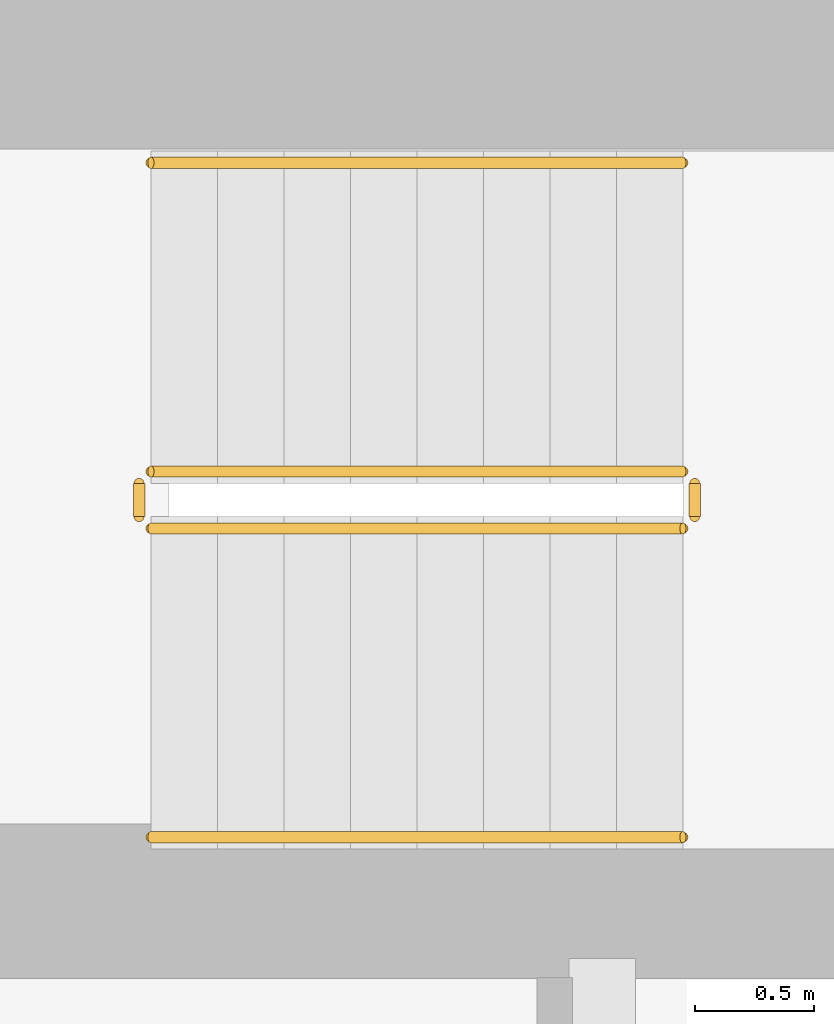
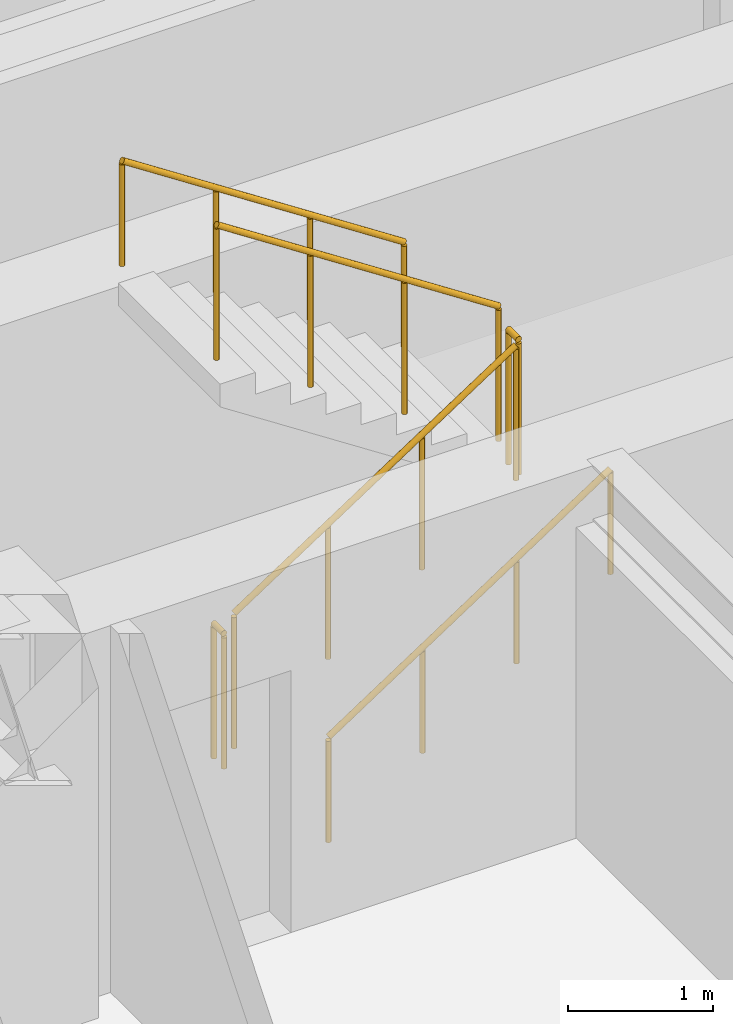
# One storey, part 23 of 27: 6 railings.
"""IFC4 building model written with IfcOpenShell, lengths in metres."""

from ifc_helpers import new_model, si_unit, direction, frame, origin, origin_2d, place, context, subcontext, project, spatial, circle, extrude, material, type_object, element, save


model = new_model("IFC4")

# Units and contexts
model_context = context("Model", 3, precision=1e-05, world=origin(), true_north=direction((0.0, 1.0)))
body_context = subcontext(model_context, "Body", "Model", "MODEL_VIEW")
ifc_project = project(units=[si_unit("LENGTHUNIT", "METRE"), si_unit("AREAUNIT", "SQUARE_METRE"), si_unit("VOLUMEUNIT", "CUBIC_METRE"), si_unit("PLANEANGLEUNIT", "RADIAN"), si_unit("MASSUNIT", "GRAM", prefix="KILO")], contexts=[model_context])

# Site, building, storey
site_placement = place(None, origin())
site = spatial("IfcSite", under=ifc_project, at=site_placement, CompositionType="ELEMENT")
building_placement = place(site_placement, origin())
building = spatial("IfcBuilding", under=site, at=building_placement, Name="Mirazonda Arch Towers", CompositionType="ELEMENT")
storey_placement = place(building_placement, frame((0.0, 0.0, 124.699951171875)))
storey = spatial("IfcBuildingStorey", under=building, at=storey_placement, Name="L35", CompositionType="ELEMENT", Elevation=124.699951171875)

# Railings
ifc_material = material(Name="Architectural Brushed Steel S355", Category="steel")
railing_type_1 = type_object("IfcRailingType", Name="GUARD-STAIR-1120", PredefinedType="GUARDRAIL", material=ifc_material)
railing_1_placement = place(storey_placement, frame((13.85009765625, 39.169921875, 0.183349609375)))
element("IfcRailing", 1, at=railing_1_placement, inside=storey, type_object=railing_type_1, Name="L35 ST-T1N stair guard 1", PredefinedType="GUARDRAIL", context=body_context, shape_type="SweptSolid", body=[
    extrude(circle(Radius=0.02392578125, at=origin_2d()), frame((0.0, 0.0, 1.1259765625), z_axis=(0.836595146698, 0.0, 0.547821650285), x_axis=(0.0, 1.0, 0.0)), (0.0, 0.0, 1.0), 2.677490234375),
    extrude(circle(Radius=0.02099609375, at=origin_2d()), origin(), (0.0, 0.0, 1.0), 1.101806640625),
    extrude(circle(Radius=0.02099609375, at=origin_2d()), frame((0.74658203125, 0.0, 0.489013671875)), (0.0, 0.0, 1.0), 1.101806640625),
    extrude(circle(Radius=0.02099609375, at=origin_2d()), frame((1.493408203125, 0.0, 0.977783203125)), (0.0, 0.0, 1.0), 1.101806640625),
    extrude(circle(Radius=0.02099609375, at=origin_2d()), frame((2.239990234375, 0.0, 1.466796875)), (0.0, 0.0, 1.0), 1.101806640625),
])
railing_2_placement = place(storey_placement, frame((16.139892578125, 39.219970703125, 1.650146484375)))
element("IfcRailing", 2, at=railing_2_placement, inside=storey, type_object=railing_type_1, Name="L35 ST-T1N stair guard 2", PredefinedType="GUARDRAIL", context=body_context, shape_type="SweptSolid", body=[
    extrude(circle(Radius=0.02392578125, at=origin_2d()), frame((0.0, 0.0, 1.1259765625), z_axis=(0.0, 1.0, 0.0), x_axis=(-1.0, 0.0, 0.0)), (0.0, 0.0, 1.0), 0.14013671875),
    extrude(circle(Radius=0.02099609375, at=origin_2d()), origin(), (0.0, 0.0, 1.0), 1.101806640625),
    extrude(circle(Radius=0.02099609375, at=origin_2d()), frame((0.0, 0.14013671875, 0.0)), (0.0, 0.0, 1.0), 1.101806640625),
])
railing_3_placement = place(storey_placement, frame((16.090087890625, 39.409912109375, 1.83349609375)))
element("IfcRailing", 3, at=railing_3_placement, inside=storey, type_object=railing_type_1, Name="L35 ST-T1N stair guard 3", PredefinedType="GUARDRAIL", context=body_context, shape_type="SweptSolid", body=[
    extrude(circle(Radius=0.02392578125, at=origin_2d()), frame((0.0, 0.0, 1.1259765625), z_axis=(-0.836636935527, 0.0, 0.547757827979), x_axis=(0.0, -1.0, 0.0)), (0.0, 0.0, 1.0), 2.677490234375),
    extrude(circle(Radius=0.02099609375, at=origin_2d()), origin(), (0.0, 0.0, 1.0), 1.101806640625),
    extrude(circle(Radius=0.02099609375, at=origin_2d()), frame((-0.74658203125, 0.0, 0.48876953125)), (0.0, 0.0, 1.0), 1.101806640625),
    extrude(circle(Radius=0.02099609375, at=origin_2d()), frame((-1.493408203125, 0.0, 0.977783203125)), (0.0, 0.0, 1.0), 1.101806640625),
    extrude(circle(Radius=0.02099609375, at=origin_2d()), frame((-2.239990234375, 0.0, 1.466552734375)), (0.0, 0.0, 1.0), 1.101806640625),
])
railing_4_placement = place(storey_placement, frame((13.800048828125, 39.219970703125, 0.0)))
element("IfcRailing", 4, at=railing_4_placement, inside=storey, type_object=railing_type_1, Name="L35 ST-T1N stair guard 4", PredefinedType="GUARDRAIL", context=body_context, shape_type="SweptSolid", body=[
    extrude(circle(Radius=0.02392578125, at=origin_2d()), frame((0.0, 0.0, 1.1259765625), z_axis=(0.0, 1.0, 0.0), x_axis=(-1.0, 0.0, 0.0)), (0.0, 0.0, 1.0), 0.14013671875),
    extrude(circle(Radius=0.02099609375, at=origin_2d()), origin(), (0.0, 0.0, 1.0), 1.101806640625),
    extrude(circle(Radius=0.02099609375, at=origin_2d()), frame((0.0, 0.14013671875, 0.0)), (0.0, 0.0, 1.0), 1.101806640625),
])
railing_type_2 = type_object("IfcRailingType", Name="HANDRAIL-915", PredefinedType="HANDRAIL", material=ifc_material)
railing_5_placement = place(storey_placement, frame((13.85009765625, 37.8701171875, 0.183349609375)))
element("IfcRailing", 5, at=railing_5_placement, inside=storey, type_object=railing_type_2, Name="L35 ST-T1N stair handrail 1", PredefinedType="HANDRAIL", context=body_context, shape_type="SweptSolid", body=[
    extrude(circle(Radius=0.02392578125, at=origin_2d()), frame((0.0, 0.0, 0.8759765625), z_axis=(0.836595146698, 0.0, 0.547821650285), x_axis=(0.0, 1.0, 0.0)), (0.0, 0.0, 1.0), 2.677490234375),
    extrude(circle(Radius=0.02099609375, at=origin_2d()), origin(), (0.0, 0.0, 1.0), 0.851806640625),
    extrude(circle(Radius=0.02099609375, at=origin_2d()), frame((0.74658203125, 0.0, 0.489013671875)), (0.0, 0.0, 1.0), 0.851806640625),
    extrude(circle(Radius=0.02099609375, at=origin_2d()), frame((1.493408203125, 0.0, 0.977783203125)), (0.0, 0.0, 1.0), 0.851806640625),
    extrude(circle(Radius=0.02099609375, at=origin_2d()), frame((2.239990234375, 0.0, 1.466796875)), (0.0, 0.0, 1.0), 0.851806640625),
])
railing_6_placement = place(storey_placement, frame((16.090087890625, 40.7099609375, 1.83349609375)))
element("IfcRailing", 6, at=railing_6_placement, inside=storey, type_object=railing_type_2, Name="L35 ST-T1N stair handrail 2", PredefinedType="HANDRAIL", context=body_context, shape_type="SweptSolid", body=[
    extrude(circle(Radius=0.02392578125, at=origin_2d()), frame((0.0, 0.0, 0.8759765625), z_axis=(-0.836636935527, 0.0, 0.547757827979), x_axis=(0.0, -1.0, 0.0)), (0.0, 0.0, 1.0), 2.677490234375),
    extrude(circle(Radius=0.02099609375, at=origin_2d()), origin(), (0.0, 0.0, 1.0), 0.851806640625),
    extrude(circle(Radius=0.02099609375, at=origin_2d()), frame((-0.74658203125, 0.0, 0.48876953125)), (0.0, 0.0, 1.0), 0.851806640625),
    extrude(circle(Radius=0.02099609375, at=origin_2d()), frame((-1.493408203125, 0.0, 0.977783203125)), (0.0, 0.0, 1.0), 0.851806640625),
    extrude(circle(Radius=0.02099609375, at=origin_2d()), frame((-2.239990234375, 0.0, 1.466552734375)), (0.0, 0.0, 1.0), 0.851806640625),
])

save(model, "model.ifc")
